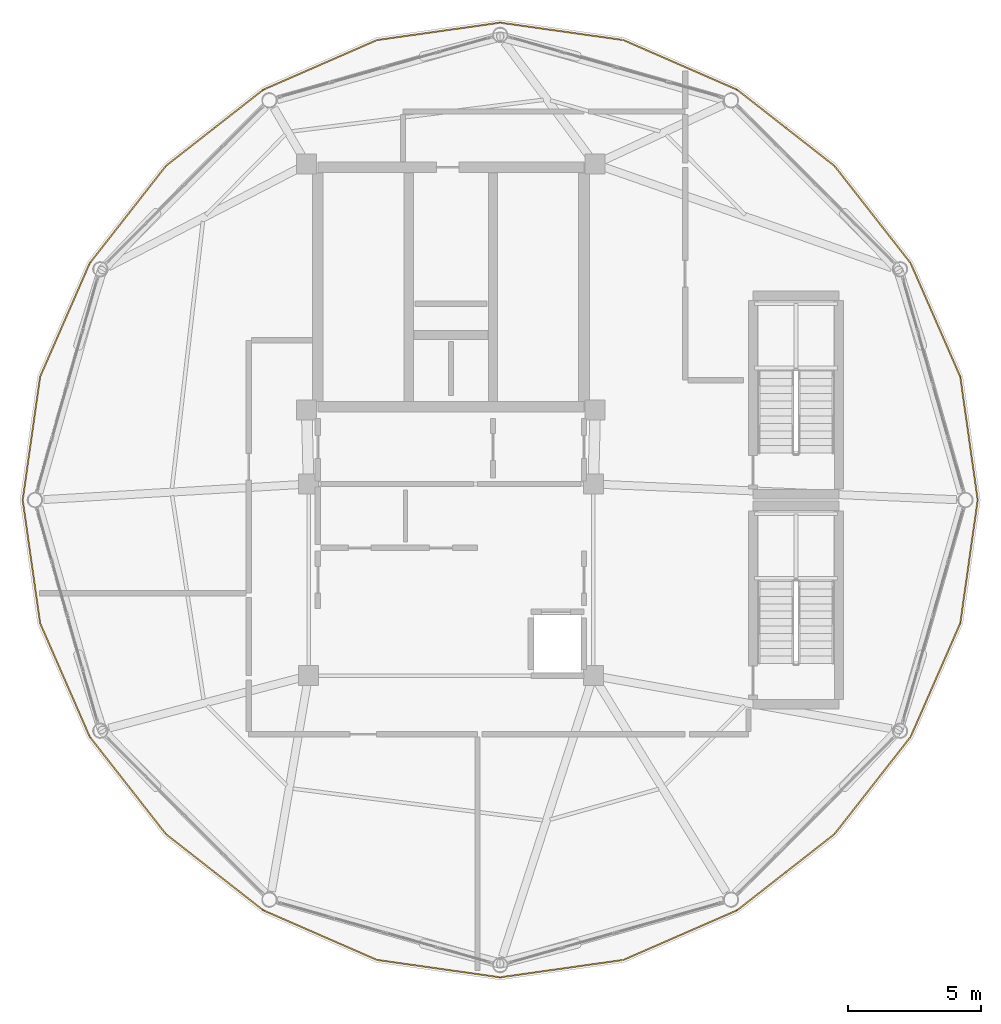
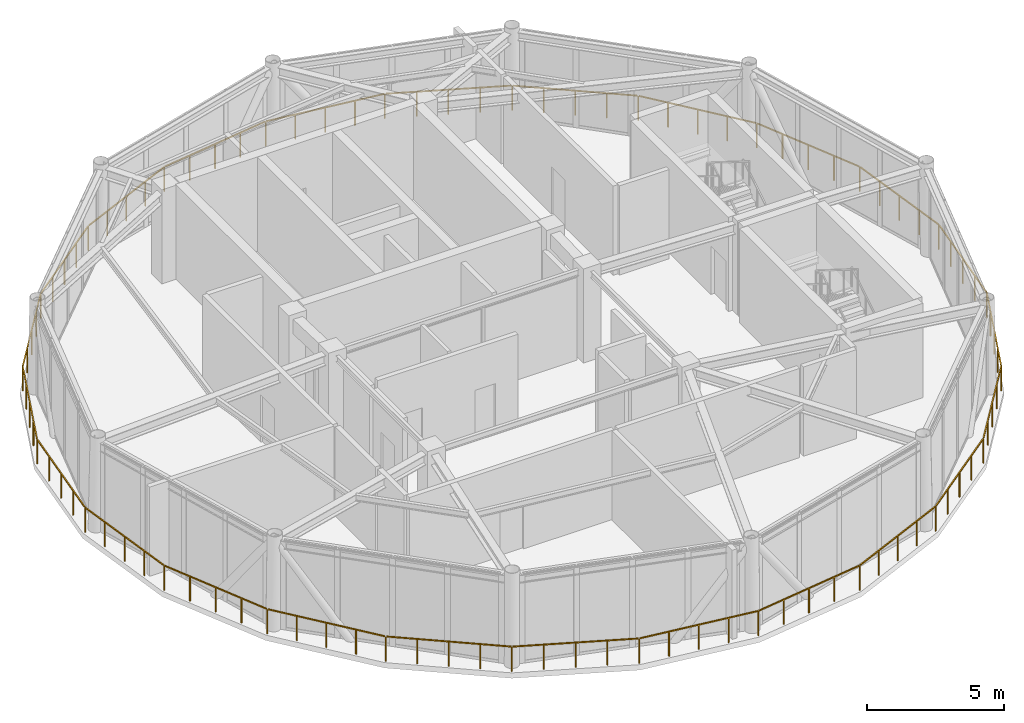
# One storey, part 19 of 20: 1 railing.
"""IFC4 building model written with IfcOpenShell, lengths in metres."""

from ifc_helpers import new_model, si_unit, direction, frame, origin, origin_2d, place, context, subcontext, project, spatial, rectangle, extrude, material, type_object, element, save


model = new_model("IFC4")

# Units and contexts
model_context = context("Model", 3, precision=1e-05, world=origin(), true_north=direction((0.0, 1.0)))
body_context = subcontext(model_context, "Body", "Model", "MODEL_VIEW")
ifc_project = project(units=[si_unit("LENGTHUNIT", "METRE"), si_unit("AREAUNIT", "SQUARE_METRE"), si_unit("VOLUMEUNIT", "CUBIC_METRE"), si_unit("PLANEANGLEUNIT", "RADIAN"), si_unit("MASSUNIT", "GRAM", prefix="KILO")], contexts=[model_context])

# Site, building, storey
site_placement = place(None, origin())
site = spatial("IfcSite", under=ifc_project, at=site_placement, CompositionType="ELEMENT")
building_placement = place(site_placement, origin())
building = spatial("IfcBuilding", under=site, at=building_placement, Name="Varnakorn Sky Granary", CompositionType="ELEMENT")
storey_placement = place(building_placement, frame((0.0, 0.0, 302.39990234375)))
storey = spatial("IfcBuildingStorey", under=building, at=storey_placement, Name="L77", CompositionType="ELEMENT", Elevation=302.39990234375)

# Railing
ifc_material = material(Name="Anodised Bronze Aluminium Alloy 6063-T6", Category="aluminium")
railing_type = type_object("IfcRailingType", Name="RL-BAL-1120", PredefinedType="BALUSTRADE", material=ifc_material)
railing_placement = place(storey_placement, frame((22.7919921875, 0.0, 0.0)))
element("IfcRailing", 1, at=railing_placement, inside=storey, type_object=railing_type, Name="Perimeter Slab-Edge Safety Guard L77", PredefinedType="BALUSTRADE", context=body_context, shape_type="SweptSolid", body=[
    extrude(rectangle(XDim=0.048095703125, YDim=0.048095703125, at=origin_2d()), frame((-0.00390625, -0.02783203125, 1.09619140625), z_axis=(-0.139958944331, -0.990157307655, 0.0), x_axis=(0.990157307655, -0.139958944331, 0.0)), (0.0, 0.0, 1.0), 4.618896484375),
    extrude(rectangle(XDim=0.048095703125, YDim=0.048095703125, at=origin_2d()), frame((-0.66552734375, -4.654541015625, 1.09619140625), z_axis=(-0.400359758188, -0.916358043574, 0.0), x_axis=(0.916358043574, -0.400359758188, 0.0)), (0.0, 0.0, 1.0), 4.603515625),
    extrude(rectangle(XDim=0.048095703125, YDim=0.048095703125, at=origin_2d()), frame((-2.537109375, -8.920654296875, 1.09619140625), z_axis=(-0.616427341562, -0.78741179352, 0.0), x_axis=(0.78741179352, -0.616427341562, 0.0)), (0.0, 0.0, 1.0), 4.58740234375),
    extrude(rectangle(XDim=0.048095703125, YDim=0.048095703125, at=origin_2d()), frame((-5.404052734375, -12.572265625, 1.09619140625), z_axis=(-0.787639226478, -0.616136712843, 0.0), x_axis=(0.616136712843, -0.787639226478, 0.0)), (0.0, 0.0, 1.0), 4.587646484375),
    extrude(rectangle(XDim=0.048095703125, YDim=0.048095703125, at=origin_2d()), frame((-9.065185546875, -15.42724609375, 1.09619140625), z_axis=(-0.91646360899, -0.400118049327, 0.0), x_axis=(0.400118049327, -0.91646360899, 0.0)), (0.0, 0.0, 1.0), 4.60498046875),
    extrude(rectangle(XDim=0.048095703125, YDim=0.048095703125, at=origin_2d()), frame((-13.339111328125, -17.284912109375, 1.09619140625), z_axis=(-0.990171695377, -0.139857118781, 0.0), x_axis=(0.139857118781, -0.990171695377, 0.0)), (0.0, 0.0, 1.0), 4.62060546875),
    extrude(rectangle(XDim=0.048095703125, YDim=0.048095703125, at=origin_2d()), frame((-17.9697265625, -17.93115234375, 1.09619140625), z_axis=(-0.990172716428, 0.139849889673, 0.0), x_axis=(-0.139849889673, -0.990172716428, 0.0)), (0.0, 0.0, 1.0), 4.620849609375),
    extrude(rectangle(XDim=0.048095703125, YDim=0.048095703125, at=origin_2d()), frame((-22.598388671875, -17.269775390625, 1.09619140625), z_axis=(-0.91646360899, 0.400118049327, 0.0), x_axis=(-0.400118049327, -0.91646360899, 0.0)), (0.0, 0.0, 1.0), 4.60498046875),
    extrude(rectangle(XDim=0.048095703125, YDim=0.048095703125, at=origin_2d()), frame((-26.866455078125, -15.398681640625, 1.09619140625), z_axis=(-0.78761926615, 0.616162228305, 0.0), x_axis=(-0.616162228305, -0.78761926615, 0.0)), (0.0, 0.0, 1.0), 4.58740234375),
    extrude(rectangle(XDim=0.048095703125, YDim=0.048095703125, at=origin_2d()), frame((-30.51904296875, -12.532958984375, 1.09619140625), z_axis=(-0.6164599394, 0.787386273131, 0.0), x_axis=(-0.787386273131, -0.6164599394, 0.0)), (0.0, 0.0, 1.0), 4.587646484375),
    extrude(rectangle(XDim=0.048095703125, YDim=0.048095703125, at=origin_2d()), frame((-33.37548828125, -8.873046875, 1.09619140625), z_axis=(-0.400315759039, 0.916377265685, 0.0), x_axis=(-0.916377265685, -0.400315759039, 0.0)), (0.0, 0.0, 1.0), 4.603515625),
    extrude(rectangle(XDim=0.048095703125, YDim=0.048095703125, at=origin_2d()), frame((-35.2333984375, -4.60107421875, 1.09619140625), z_axis=(-0.140010144276, 0.990150069181, 0.0), x_axis=(-0.990150069181, -0.140010144276, 0.0)), (0.0, 0.0, 1.0), 4.618896484375),
    extrude(rectangle(XDim=0.048095703125, YDim=0.048095703125, at=origin_2d()), frame((-35.880126953125, 0.02783203125, 1.09619140625), z_axis=(0.140010144276, 0.990150069181, 0.0), x_axis=(-0.990150069181, 0.140010144276, 0.0)), (0.0, 0.0, 1.0), 4.618896484375),
    extrude(rectangle(XDim=0.048095703125, YDim=0.048095703125, at=origin_2d()), frame((-35.21826171875, 4.654541015625, 1.09619140625), z_axis=(0.400315759039, 0.916377265685, 0.0), x_axis=(-0.916377265685, 0.400315759039, 0.0)), (0.0, 0.0, 1.0), 4.603515625),
    extrude(rectangle(XDim=0.048095703125, YDim=0.048095703125, at=origin_2d()), frame((-33.346923828125, 8.920654296875, 1.09619140625), z_axis=(0.6164599394, 0.787386273131, 0.0), x_axis=(-0.787386273131, 0.6164599394, 0.0)), (0.0, 0.0, 1.0), 4.587646484375),
    extrude(rectangle(XDim=0.048095703125, YDim=0.048095703125, at=origin_2d()), frame((-30.479736328125, 12.572265625, 1.09619140625), z_axis=(0.78761926615, 0.616162228305, 0.0), x_axis=(-0.616162228305, 0.78761926615, 0.0)), (0.0, 0.0, 1.0), 4.58740234375),
    extrude(rectangle(XDim=0.048095703125, YDim=0.048095703125, at=origin_2d()), frame((-26.81884765625, 15.42724609375, 1.09619140625), z_axis=(0.91646360899, 0.400118049327, 0.0), x_axis=(-0.400118049327, 0.91646360899, 0.0)), (0.0, 0.0, 1.0), 4.60498046875),
    extrude(rectangle(XDim=0.048095703125, YDim=0.048095703125, at=origin_2d()), frame((-22.544921875, 17.284912109375, 1.09619140625), z_axis=(0.990172716428, 0.139849889673, 0.0), x_axis=(-0.139849889673, 0.990172716428, 0.0)), (0.0, 0.0, 1.0), 4.620849609375),
    extrude(rectangle(XDim=0.048095703125, YDim=0.048095703125, at=origin_2d()), frame((-17.9140625, 17.93115234375, 1.09619140625), z_axis=(0.990171695377, -0.139857118781, 0.0), x_axis=(0.139857118781, 0.990171695377, 0.0)), (0.0, 0.0, 1.0), 4.62060546875),
    extrude(rectangle(XDim=0.048095703125, YDim=0.048095703125, at=origin_2d()), frame((-13.28564453125, 17.269775390625, 1.09619140625), z_axis=(0.91646360899, -0.400118049327, 0.0), x_axis=(0.400118049327, 0.91646360899, 0.0)), (0.0, 0.0, 1.0), 4.60498046875),
    extrude(rectangle(XDim=0.048095703125, YDim=0.048095703125, at=origin_2d()), frame((-9.017578125, 15.398681640625, 1.09619140625), z_axis=(0.787639226478, -0.616136712843, 0.0), x_axis=(0.616136712843, 0.787639226478, 0.0)), (0.0, 0.0, 1.0), 4.587646484375),
    extrude(rectangle(XDim=0.048095703125, YDim=0.048095703125, at=origin_2d()), frame((-5.36474609375, 12.532958984375, 1.09619140625), z_axis=(0.616427341562, -0.78741179352, 0.0), x_axis=(0.78741179352, 0.616427341562, 0.0)), (0.0, 0.0, 1.0), 4.58740234375),
    extrude(rectangle(XDim=0.048095703125, YDim=0.048095703125, at=origin_2d()), frame((-2.508544921875, 8.873046875, 1.09619140625), z_axis=(0.400359758188, -0.916358043574, 0.0), x_axis=(0.916358043574, 0.400359758188, 0.0)), (0.0, 0.0, 1.0), 4.603515625),
    extrude(rectangle(XDim=0.048095703125, YDim=0.048095703125, at=origin_2d()), frame((-0.650390625, 4.60107421875, 1.09619140625), z_axis=(0.139958944331, -0.990157307655, 0.0), x_axis=(0.990157307655, 0.139958944331, 0.0)), (0.0, 0.0, 1.0), 4.618896484375),
    extrude(rectangle(XDim=0.0419921875, YDim=0.0419921875, at=origin_2d()), origin(), (0.0, 0.0, 1.0), 1.068115234375),
    extrude(rectangle(XDim=0.0419921875, YDim=0.0419921875, at=origin_2d()), frame((-0.16357421875, -1.1572265625, 0.0)), (0.0, 0.0, 1.0), 1.068115234375),
    extrude(rectangle(XDim=0.0419921875, YDim=0.0419921875, at=origin_2d()), frame((-0.3271484375, -2.314453125, 0.0)), (0.0, 0.0, 1.0), 1.068115234375),
    extrude(rectangle(XDim=0.0419921875, YDim=0.0419921875, at=origin_2d()), frame((-0.49072265625, -3.4716796875, 0.0)), (0.0, 0.0, 1.0), 1.068115234375),
    extrude(rectangle(XDim=0.0419921875, YDim=0.0419921875, at=origin_2d()), frame((-0.654296875, -4.62890625, 0.0)), (0.0, 0.0, 1.0), 1.068115234375),
    extrude(rectangle(XDim=0.0419921875, YDim=0.0419921875, at=origin_2d()), frame((-1.12060546875, -5.6962890625, 0.0)), (0.0, 0.0, 1.0), 1.068115234375),
    extrude(rectangle(XDim=0.0419921875, YDim=0.0419921875, at=origin_2d()), frame((-1.5869140625, -6.763671875, 0.0)), (0.0, 0.0, 1.0), 1.068115234375),
    extrude(rectangle(XDim=0.0419921875, YDim=0.0419921875, at=origin_2d()), frame((-2.053466796875, -7.831298828125, 0.0)), (0.0, 0.0, 1.0), 1.068115234375),
    extrude(rectangle(XDim=0.0419921875, YDim=0.0419921875, at=origin_2d()), frame((-2.519775390625, -8.898681640625, 0.0)), (0.0, 0.0, 1.0), 1.068115234375),
    extrude(rectangle(XDim=0.0419921875, YDim=0.0419921875, at=origin_2d()), frame((-3.2353515625, -9.812744140625, 0.0)), (0.0, 0.0, 1.0), 1.068115234375),
    extrude(rectangle(XDim=0.0419921875, YDim=0.0419921875, at=origin_2d()), frame((-3.950927734375, -10.726806640625, 0.0)), (0.0, 0.0, 1.0), 1.068115234375),
    extrude(rectangle(XDim=0.0419921875, YDim=0.0419921875, at=origin_2d()), frame((-4.66650390625, -11.640869140625, 0.0)), (0.0, 0.0, 1.0), 1.068115234375),
    extrude(rectangle(XDim=0.0419921875, YDim=0.0419921875, at=origin_2d()), frame((-5.382080078125, -12.554931640625, 0.0)), (0.0, 0.0, 1.0), 1.068115234375),
    extrude(rectangle(XDim=0.0419921875, YDim=0.0419921875, at=origin_2d()), frame((-6.29638671875, -13.270263671875, 0.0)), (0.0, 0.0, 1.0), 1.068115234375),
    extrude(rectangle(XDim=0.0419921875, YDim=0.0419921875, at=origin_2d()), frame((-7.2109375, -13.9853515625, 0.0)), (0.0, 0.0, 1.0), 1.068115234375),
    extrude(rectangle(XDim=0.0419921875, YDim=0.0419921875, at=origin_2d()), frame((-8.125244140625, -14.70068359375, 0.0)), (0.0, 0.0, 1.0), 1.068115234375),
    extrude(rectangle(XDim=0.0419921875, YDim=0.0419921875, at=origin_2d()), frame((-9.03955078125, -15.416015625, 0.0)), (0.0, 0.0, 1.0), 1.068115234375),
    extrude(rectangle(XDim=0.0419921875, YDim=0.0419921875, at=origin_2d()), frame((-10.107421875, -15.88232421875, 0.0)), (0.0, 0.0, 1.0), 1.068115234375),
    extrude(rectangle(XDim=0.0419921875, YDim=0.0419921875, at=origin_2d()), frame((-11.17529296875, -16.3486328125, 0.0)), (0.0, 0.0, 1.0), 1.068115234375),
    extrude(rectangle(XDim=0.0419921875, YDim=0.0419921875, at=origin_2d()), frame((-12.243408203125, -16.814697265625, 0.0)), (0.0, 0.0, 1.0), 1.068115234375),
    extrude(rectangle(XDim=0.0419921875, YDim=0.0419921875, at=origin_2d()), frame((-13.311279296875, -17.281005859375, 0.0)), (0.0, 0.0, 1.0), 1.068115234375),
    extrude(rectangle(XDim=0.0419921875, YDim=0.0419921875, at=origin_2d()), frame((-14.468994140625, -17.444580078125, 0.0)), (0.0, 0.0, 1.0), 1.068115234375),
    extrude(rectangle(XDim=0.0419921875, YDim=0.0419921875, at=origin_2d()), frame((-15.62646484375, -17.60791015625, 0.0)), (0.0, 0.0, 1.0), 1.068115234375),
    extrude(rectangle(XDim=0.0419921875, YDim=0.0419921875, at=origin_2d()), frame((-16.7841796875, -17.771484375, 0.0)), (0.0, 0.0, 1.0), 1.068115234375),
    extrude(rectangle(XDim=0.0419921875, YDim=0.0419921875, at=origin_2d()), frame((-17.94189453125, -17.93505859375, 0.0)), (0.0, 0.0, 1.0), 1.068115234375),
    extrude(rectangle(XDim=0.0419921875, YDim=0.0419921875, at=origin_2d()), frame((-19.099609375, -17.771484375, 0.0)), (0.0, 0.0, 1.0), 1.068115234375),
    extrude(rectangle(XDim=0.0419921875, YDim=0.0419921875, at=origin_2d()), frame((-20.25732421875, -17.60791015625, 0.0)), (0.0, 0.0, 1.0), 1.068115234375),
    extrude(rectangle(XDim=0.0419921875, YDim=0.0419921875, at=origin_2d()), frame((-21.4150390625, -17.444580078125, 0.0)), (0.0, 0.0, 1.0), 1.068115234375),
    extrude(rectangle(XDim=0.0419921875, YDim=0.0419921875, at=origin_2d()), frame((-22.57275390625, -17.281005859375, 0.0)), (0.0, 0.0, 1.0), 1.068115234375),
    extrude(rectangle(XDim=0.0419921875, YDim=0.0419921875, at=origin_2d()), frame((-23.640625, -16.814697265625, 0.0)), (0.0, 0.0, 1.0), 1.068115234375),
    extrude(rectangle(XDim=0.0419921875, YDim=0.0419921875, at=origin_2d()), frame((-24.70849609375, -16.3486328125, 0.0)), (0.0, 0.0, 1.0), 1.068115234375),
    extrude(rectangle(XDim=0.0419921875, YDim=0.0419921875, at=origin_2d()), frame((-25.776611328125, -15.88232421875, 0.0)), (0.0, 0.0, 1.0), 1.068115234375),
    extrude(rectangle(XDim=0.0419921875, YDim=0.0419921875, at=origin_2d()), frame((-26.844482421875, -15.416015625, 0.0)), (0.0, 0.0, 1.0), 1.068115234375),
    extrude(rectangle(XDim=0.0419921875, YDim=0.0419921875, at=origin_2d()), frame((-27.7587890625, -14.70068359375, 0.0)), (0.0, 0.0, 1.0), 1.068115234375),
    extrude(rectangle(XDim=0.0419921875, YDim=0.0419921875, at=origin_2d()), frame((-28.673095703125, -13.9853515625, 0.0)), (0.0, 0.0, 1.0), 1.068115234375),
    extrude(rectangle(XDim=0.0419921875, YDim=0.0419921875, at=origin_2d()), frame((-29.58740234375, -13.270263671875, 0.0)), (0.0, 0.0, 1.0), 1.068115234375),
    extrude(rectangle(XDim=0.0419921875, YDim=0.0419921875, at=origin_2d()), frame((-30.501708984375, -12.554931640625, 0.0)), (0.0, 0.0, 1.0), 1.068115234375),
    extrude(rectangle(XDim=0.0419921875, YDim=0.0419921875, at=origin_2d()), frame((-31.21728515625, -11.640869140625, 0.0)), (0.0, 0.0, 1.0), 1.068115234375),
    extrude(rectangle(XDim=0.0419921875, YDim=0.0419921875, at=origin_2d()), frame((-31.93310546875, -10.726806640625, 0.0)), (0.0, 0.0, 1.0), 1.068115234375),
    extrude(rectangle(XDim=0.0419921875, YDim=0.0419921875, at=origin_2d()), frame((-32.648681640625, -9.812744140625, 0.0)), (0.0, 0.0, 1.0), 1.068115234375),
    extrude(rectangle(XDim=0.0419921875, YDim=0.0419921875, at=origin_2d()), frame((-33.3642578125, -8.898681640625, 0.0)), (0.0, 0.0, 1.0), 1.068115234375),
    extrude(rectangle(XDim=0.0419921875, YDim=0.0419921875, at=origin_2d()), frame((-33.83056640625, -7.831298828125, 0.0)), (0.0, 0.0, 1.0), 1.068115234375),
    extrude(rectangle(XDim=0.0419921875, YDim=0.0419921875, at=origin_2d()), frame((-34.296875, -6.763671875, 0.0)), (0.0, 0.0, 1.0), 1.068115234375),
    extrude(rectangle(XDim=0.0419921875, YDim=0.0419921875, at=origin_2d()), frame((-34.76318359375, -5.6962890625, 0.0)), (0.0, 0.0, 1.0), 1.068115234375),
    extrude(rectangle(XDim=0.0419921875, YDim=0.0419921875, at=origin_2d()), frame((-35.2294921875, -4.62890625, 0.0)), (0.0, 0.0, 1.0), 1.068115234375),
    extrude(rectangle(XDim=0.0419921875, YDim=0.0419921875, at=origin_2d()), frame((-35.39306640625, -3.4716796875, 0.0)), (0.0, 0.0, 1.0), 1.068115234375),
    extrude(rectangle(XDim=0.0419921875, YDim=0.0419921875, at=origin_2d()), frame((-35.556640625, -2.314453125, 0.0)), (0.0, 0.0, 1.0), 1.068115234375),
    extrude(rectangle(XDim=0.0419921875, YDim=0.0419921875, at=origin_2d()), frame((-35.720458984375, -1.1572265625, 0.0)), (0.0, 0.0, 1.0), 1.068115234375),
    extrude(rectangle(XDim=0.0419921875, YDim=0.0419921875, at=origin_2d()), frame((-35.884033203125, 0.0, 0.0)), (0.0, 0.0, 1.0), 1.068115234375),
    extrude(rectangle(XDim=0.0419921875, YDim=0.0419921875, at=origin_2d()), frame((-35.720458984375, 1.1572265625, 0.0)), (0.0, 0.0, 1.0), 1.068115234375),
    extrude(rectangle(XDim=0.0419921875, YDim=0.0419921875, at=origin_2d()), frame((-35.556640625, 2.314453125, 0.0)), (0.0, 0.0, 1.0), 1.068115234375),
    extrude(rectangle(XDim=0.0419921875, YDim=0.0419921875, at=origin_2d()), frame((-35.39306640625, 3.4716796875, 0.0)), (0.0, 0.0, 1.0), 1.068115234375),
    extrude(rectangle(XDim=0.0419921875, YDim=0.0419921875, at=origin_2d()), frame((-35.2294921875, 4.62890625, 0.0)), (0.0, 0.0, 1.0), 1.068115234375),
    extrude(rectangle(XDim=0.0419921875, YDim=0.0419921875, at=origin_2d()), frame((-34.76318359375, 5.6962890625, 0.0)), (0.0, 0.0, 1.0), 1.068115234375),
    extrude(rectangle(XDim=0.0419921875, YDim=0.0419921875, at=origin_2d()), frame((-34.296875, 6.763671875, 0.0)), (0.0, 0.0, 1.0), 1.068115234375),
    extrude(rectangle(XDim=0.0419921875, YDim=0.0419921875, at=origin_2d()), frame((-33.83056640625, 7.831298828125, 0.0)), (0.0, 0.0, 1.0), 1.068115234375),
    extrude(rectangle(XDim=0.0419921875, YDim=0.0419921875, at=origin_2d()), frame((-33.3642578125, 8.898681640625, 0.0)), (0.0, 0.0, 1.0), 1.068115234375),
    extrude(rectangle(XDim=0.0419921875, YDim=0.0419921875, at=origin_2d()), frame((-32.648681640625, 9.812744140625, 0.0)), (0.0, 0.0, 1.0), 1.068115234375),
    extrude(rectangle(XDim=0.0419921875, YDim=0.0419921875, at=origin_2d()), frame((-31.93310546875, 10.726806640625, 0.0)), (0.0, 0.0, 1.0), 1.068115234375),
    extrude(rectangle(XDim=0.0419921875, YDim=0.0419921875, at=origin_2d()), frame((-31.21728515625, 11.640869140625, 0.0)), (0.0, 0.0, 1.0), 1.068115234375),
    extrude(rectangle(XDim=0.0419921875, YDim=0.0419921875, at=origin_2d()), frame((-30.501708984375, 12.554931640625, 0.0)), (0.0, 0.0, 1.0), 1.068115234375),
    extrude(rectangle(XDim=0.0419921875, YDim=0.0419921875, at=origin_2d()), frame((-29.58740234375, 13.270263671875, 0.0)), (0.0, 0.0, 1.0), 1.068115234375),
    extrude(rectangle(XDim=0.0419921875, YDim=0.0419921875, at=origin_2d()), frame((-28.673095703125, 13.9853515625, 0.0)), (0.0, 0.0, 1.0), 1.068115234375),
    extrude(rectangle(XDim=0.0419921875, YDim=0.0419921875, at=origin_2d()), frame((-27.7587890625, 14.70068359375, 0.0)), (0.0, 0.0, 1.0), 1.068115234375),
    extrude(rectangle(XDim=0.0419921875, YDim=0.0419921875, at=origin_2d()), frame((-26.844482421875, 15.416015625, 0.0)), (0.0, 0.0, 1.0), 1.068115234375),
    extrude(rectangle(XDim=0.0419921875, YDim=0.0419921875, at=origin_2d()), frame((-25.776611328125, 15.88232421875, 0.0)), (0.0, 0.0, 1.0), 1.068115234375),
    extrude(rectangle(XDim=0.0419921875, YDim=0.0419921875, at=origin_2d()), frame((-24.70849609375, 16.3486328125, 0.0)), (0.0, 0.0, 1.0), 1.068115234375),
    extrude(rectangle(XDim=0.0419921875, YDim=0.0419921875, at=origin_2d()), frame((-23.640625, 16.814697265625, 0.0)), (0.0, 0.0, 1.0), 1.068115234375),
    extrude(rectangle(XDim=0.0419921875, YDim=0.0419921875, at=origin_2d()), frame((-22.57275390625, 17.281005859375, 0.0)), (0.0, 0.0, 1.0), 1.068115234375),
    extrude(rectangle(XDim=0.0419921875, YDim=0.0419921875, at=origin_2d()), frame((-21.4150390625, 17.444580078125, 0.0)), (0.0, 0.0, 1.0), 1.068115234375),
    extrude(rectangle(XDim=0.0419921875, YDim=0.0419921875, at=origin_2d()), frame((-20.25732421875, 17.60791015625, 0.0)), (0.0, 0.0, 1.0), 1.068115234375),
    extrude(rectangle(XDim=0.0419921875, YDim=0.0419921875, at=origin_2d()), frame((-19.099609375, 17.771484375, 0.0)), (0.0, 0.0, 1.0), 1.068115234375),
    extrude(rectangle(XDim=0.0419921875, YDim=0.0419921875, at=origin_2d()), frame((-17.94189453125, 17.93505859375, 0.0)), (0.0, 0.0, 1.0), 1.068115234375),
    extrude(rectangle(XDim=0.0419921875, YDim=0.0419921875, at=origin_2d()), frame((-16.7841796875, 17.771484375, 0.0)), (0.0, 0.0, 1.0), 1.068115234375),
    extrude(rectangle(XDim=0.0419921875, YDim=0.0419921875, at=origin_2d()), frame((-15.62646484375, 17.60791015625, 0.0)), (0.0, 0.0, 1.0), 1.068115234375),
    extrude(rectangle(XDim=0.0419921875, YDim=0.0419921875, at=origin_2d()), frame((-14.468994140625, 17.444580078125, 0.0)), (0.0, 0.0, 1.0), 1.068115234375),
    extrude(rectangle(XDim=0.0419921875, YDim=0.0419921875, at=origin_2d()), frame((-13.311279296875, 17.281005859375, 0.0)), (0.0, 0.0, 1.0), 1.068115234375),
    extrude(rectangle(XDim=0.0419921875, YDim=0.0419921875, at=origin_2d()), frame((-12.243408203125, 16.814697265625, 0.0)), (0.0, 0.0, 1.0), 1.068115234375),
    extrude(rectangle(XDim=0.0419921875, YDim=0.0419921875, at=origin_2d()), frame((-11.17529296875, 16.3486328125, 0.0)), (0.0, 0.0, 1.0), 1.068115234375),
    extrude(rectangle(XDim=0.0419921875, YDim=0.0419921875, at=origin_2d()), frame((-10.107421875, 15.88232421875, 0.0)), (0.0, 0.0, 1.0), 1.068115234375),
    extrude(rectangle(XDim=0.0419921875, YDim=0.0419921875, at=origin_2d()), frame((-9.03955078125, 15.416015625, 0.0)), (0.0, 0.0, 1.0), 1.068115234375),
    extrude(rectangle(XDim=0.0419921875, YDim=0.0419921875, at=origin_2d()), frame((-8.125244140625, 14.70068359375, 0.0)), (0.0, 0.0, 1.0), 1.068115234375),
    extrude(rectangle(XDim=0.0419921875, YDim=0.0419921875, at=origin_2d()), frame((-7.2109375, 13.9853515625, 0.0)), (0.0, 0.0, 1.0), 1.068115234375),
    extrude(rectangle(XDim=0.0419921875, YDim=0.0419921875, at=origin_2d()), frame((-6.29638671875, 13.270263671875, 0.0)), (0.0, 0.0, 1.0), 1.068115234375),
    extrude(rectangle(XDim=0.0419921875, YDim=0.0419921875, at=origin_2d()), frame((-5.382080078125, 12.554931640625, 0.0)), (0.0, 0.0, 1.0), 1.068115234375),
    extrude(rectangle(XDim=0.0419921875, YDim=0.0419921875, at=origin_2d()), frame((-4.66650390625, 11.640869140625, 0.0)), (0.0, 0.0, 1.0), 1.068115234375),
    extrude(rectangle(XDim=0.0419921875, YDim=0.0419921875, at=origin_2d()), frame((-3.950927734375, 10.726806640625, 0.0)), (0.0, 0.0, 1.0), 1.068115234375),
    extrude(rectangle(XDim=0.0419921875, YDim=0.0419921875, at=origin_2d()), frame((-3.2353515625, 9.812744140625, 0.0)), (0.0, 0.0, 1.0), 1.068115234375),
    extrude(rectangle(XDim=0.0419921875, YDim=0.0419921875, at=origin_2d()), frame((-2.519775390625, 8.898681640625, 0.0)), (0.0, 0.0, 1.0), 1.068115234375),
    extrude(rectangle(XDim=0.0419921875, YDim=0.0419921875, at=origin_2d()), frame((-2.053466796875, 7.831298828125, 0.0)), (0.0, 0.0, 1.0), 1.068115234375),
    extrude(rectangle(XDim=0.0419921875, YDim=0.0419921875, at=origin_2d()), frame((-1.5869140625, 6.763671875, 0.0)), (0.0, 0.0, 1.0), 1.068115234375),
    extrude(rectangle(XDim=0.0419921875, YDim=0.0419921875, at=origin_2d()), frame((-1.12060546875, 5.6962890625, 0.0)), (0.0, 0.0, 1.0), 1.068115234375),
    extrude(rectangle(XDim=0.0419921875, YDim=0.0419921875, at=origin_2d()), frame((-0.654296875, 4.62890625, 0.0)), (0.0, 0.0, 1.0), 1.068115234375),
    extrude(rectangle(XDim=0.0419921875, YDim=0.0419921875, at=origin_2d()), frame((-0.49072265625, 3.4716796875, 0.0)), (0.0, 0.0, 1.0), 1.068115234375),
    extrude(rectangle(XDim=0.0419921875, YDim=0.0419921875, at=origin_2d()), frame((-0.3271484375, 2.314453125, 0.0)), (0.0, 0.0, 1.0), 1.068115234375),
    extrude(rectangle(XDim=0.0419921875, YDim=0.0419921875, at=origin_2d()), frame((-0.16357421875, 1.1572265625, 0.0)), (0.0, 0.0, 1.0), 1.068115234375),
])

save(model, "model.ifc")
